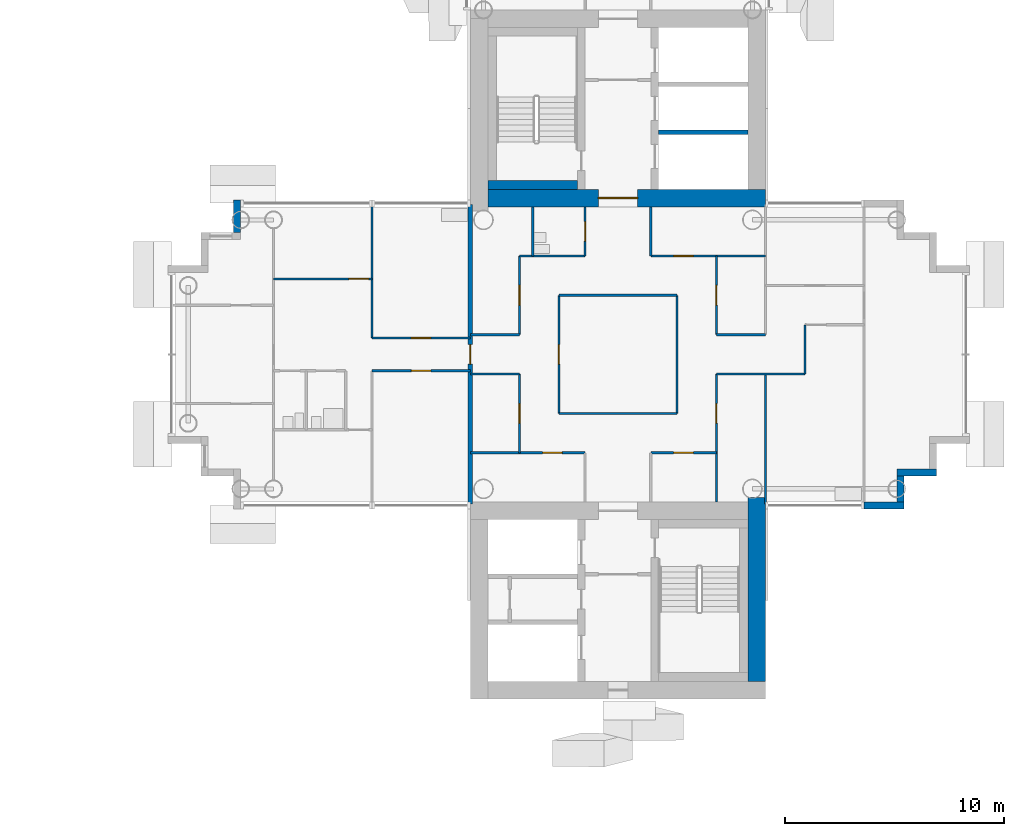
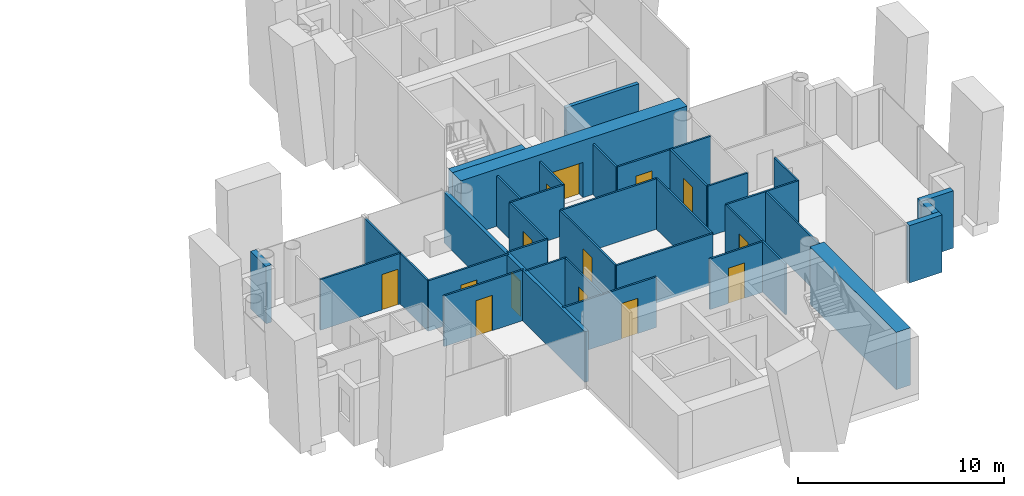
# One storey, part 10 of 19: 34 walls, 14 doors, 14 openings.
"""IFC4 building model written with IfcOpenShell, lengths in metres."""

from ifc_helpers import new_model, si_unit, direction, frame, frame_2d, origin, place, context, subcontext, project, spatial, rectangle, extrude, material, layer, layer_set, type_object, element, fill, save


model = new_model("IFC4")

# Units and contexts
model_context = context("Model", 3, precision=1e-05, world=origin(), true_north=direction((0.0, 1.0)))
body_context = subcontext(model_context, "Body", "Model", "MODEL_VIEW")
ifc_project = project(units=[si_unit("LENGTHUNIT", "METRE"), si_unit("AREAUNIT", "SQUARE_METRE"), si_unit("VOLUMEUNIT", "CUBIC_METRE"), si_unit("PLANEANGLEUNIT", "RADIAN"), si_unit("MASSUNIT", "GRAM", prefix="KILO")], contexts=[model_context])

# Site, building, storey
site_placement = place(None, origin())
site = spatial("IfcSite", under=ifc_project, at=site_placement, CompositionType="ELEMENT")
building_placement = place(site_placement, origin())
building = spatial("IfcBuilding", under=site, at=building_placement, Name="Ipe Terrace Towers", CompositionType="ELEMENT")
storey_placement = place(building_placement, frame((0.0, 0.0, 157.5)))
storey = spatial("IfcBuildingStorey", under=building, at=storey_placement, Name="L43", CompositionType="ELEMENT", Elevation=157.5)

# Walls
ifc_material_1 = material(Name="Concrete C40/50 with buff precast cladding", Category="concrete")
ifc_layer_1 = layer(ifc_material_1, 0.320068359375)
ifc_layer_set_1 = layer_set([ifc_layer_1], Name="BUFF CLADDING WALL 320")
wall_type_1 = type_object("IfcWallType", Name="BUFF CLADDING WALL 320", PredefinedType="STANDARD", material=ifc_layer_set_1)
wall_1_placement = place(storey_placement, frame((47.25, -6.909912109375, -0.300048828125), z_axis=(0.0, 0.0, 1.0), x_axis=(1.0, 0.0, 0.0)))
element("IfcWall", 1, at=wall_1_placement, inside=storey, type_object=wall_type_1, Name="T2-W-L43-03a wall", PredefinedType="STANDARD", context=body_context, shape_type="SweptSolid", body=[
    extrude(rectangle(XDim=1.820068359375, YDim=0.320068359375, at=frame_2d((0.91015625, 0.0))), origin(), (0.0, 0.0, 1.0), 3.400146484375),
])
wall_2_placement = place(storey_placement, frame((48.909912109375, -6.75, -0.300048828125), z_axis=(0.0, 0.0, 1.0), x_axis=(0.0, 1.0, 0.0)))
element("IfcWall", 2, at=wall_2_placement, inside=storey, type_object=wall_type_1, Name="T2-W-L43-04a wall", PredefinedType="STANDARD", context=body_context, shape_type="SweptSolid", body=[
    extrude(rectangle(XDim=1.179931640625, YDim=0.320068359375, at=frame_2d((0.58984375, 0.0))), origin(), (0.0, 0.0, 1.0), 3.400146484375),
])
wall_3_placement = place(storey_placement, frame((48.75, -5.409912109375, -0.300048828125), z_axis=(0.0, 0.0, 1.0), x_axis=(1.0, 0.0, 0.0)))
element("IfcWall", 3, at=wall_3_placement, inside=storey, type_object=wall_type_1, Name="T2-W-L43-05a wall", PredefinedType="STANDARD", context=body_context, shape_type="SweptSolid", body=[
    extrude(rectangle(XDim=1.820068359375, YDim=0.320068359375, at=frame_2d((0.91015625, 0.0))), origin(), (0.0, 0.0, 1.0), 3.400146484375),
])
wall_4_placement = place(storey_placement, frame((18.590087890625, 7.070068359375, -0.300048828125), z_axis=(0.0, 0.0, 1.0), x_axis=(0.0, -1.0, 0.0)))
element("IfcWall", 4, at=wall_4_placement, inside=storey, type_object=wall_type_1, Name="T2-W-L43-30a wall", PredefinedType="STANDARD", context=body_context, shape_type="SweptSolid", body=[
    extrude(rectangle(XDim=1.5, YDim=0.320068359375, at=frame_2d((0.75, 0.0))), origin(), (0.0, 0.0, 1.0), 3.400146484375),
])

# Wall, opening, door
ifc_material_2 = material(Name="Gypsum board partition", Category="plasterboard")
ifc_layer_2 = layer(ifc_material_2, 0.10009765625)
ifc_layer_set_2 = layer_set([ifc_layer_2], Name="Gypsum board partition 100 mm")
wall_type_2 = type_object("IfcWallType", Name="Gypsum board partition 100 mm", PredefinedType="PARTITIONING", material=ifc_layer_set_2)
wall_5_placement = place(storey_placement, frame((40.5, -4.5, 0.0), z_axis=(0.0, 0.0, 1.0), x_axis=(-1.0, 0.0, 0.0)))
wall_5 = element("IfcWall", 5, at=wall_5_placement, inside=storey, type_object=wall_type_2, Name="Gypsum board partition T2 L43 W01", PredefinedType="PARTITIONING", context=body_context, shape_type="SweptSolid", body=[
    extrude(rectangle(XDim=3.0, YDim=0.10009765625, at=frame_2d((1.5, 0.0))), origin(), (0.0, 0.0, 1.0), 3.0),
])
opening_1_placement = place(wall_5_placement, frame((1.050048828125, 0.0, 0.0)))
opening_1 = element("IfcOpeningElement", 6, at=opening_1_placement, cuts=wall_5, Name="Opening T2-Z3C-07", PredefinedType="OPENING", context=body_context, shape_type="SweptSolid", body=[
    extrude(rectangle(XDim=0.89990234375, YDim=2.10009765625, at=frame_2d((0.449951171875, 1.050048828125))), frame((0.0, 0.06005859375, 0.0), z_axis=(0.0, -1.0, 0.0), x_axis=(1.0, 0.0, 0.0)), (0.0, 0.0, 1.0), 0.1201171875),
])
ifc_material_3 = material(Name="Timber door leaf", Category="wood")
door_type_1 = type_object("IfcDoorType", Name="Lounge door 900 x 2100", OperationType="NOTDEFINED", PredefinedType="DOOR", material=ifc_material_3)
door_1_placement = place(opening_1_placement, origin())
door_1 = element("IfcDoor", 7, at=door_1_placement, inside=storey, type_object=door_type_1, Name="Lounge door T2-Z3C-07", OperationType="SINGLE_SWING_LEFT", OverallHeight=2.10009765625, OverallWidth=0.89990234375, PredefinedType="DOOR", context=body_context, shape_type="SweptSolid", body=[
    extrude(rectangle(XDim=0.89990234375, YDim=2.10009765625, at=frame_2d((0.449951171875, 1.050048828125))), frame((0.0, 0.02490234375, 0.0), z_axis=(0.0, -1.0, 0.0), x_axis=(1.0, 0.0, 0.0)), (0.0, 0.0, 1.0), 0.050048828125),
])
fill(opening_1, door_1)

wall_6_placement = place(storey_placement, frame((34.5, -4.5, 0.0), z_axis=(0.0, 0.0, 1.0), x_axis=(-1.0, 0.0, 0.0)))
wall_6 = element("IfcWall", 8, at=wall_6_placement, inside=storey, type_object=wall_type_2, Name="Gypsum board partition T2 L43 W02", PredefinedType="PARTITIONING", context=body_context, shape_type="SweptSolid", body=[
    extrude(rectangle(XDim=5.25, YDim=0.10009765625, at=frame_2d((2.625, 0.0))), origin(), (0.0, 0.0, 1.0), 3.0),
])
opening_2_placement = place(wall_6_placement, frame((1.050048828125, 0.0, 0.0)))
opening_2 = element("IfcOpeningElement", 9, at=opening_2_placement, cuts=wall_6, Name="Opening T2-Z3C-05", PredefinedType="OPENING", context=body_context, shape_type="SweptSolid", body=[
    extrude(rectangle(XDim=0.89990234375, YDim=2.10009765625, at=frame_2d((0.449951171875, 1.050048828125))), frame((0.0, 0.06005859375, 0.0), z_axis=(0.0, -1.0, 0.0), x_axis=(1.0, 0.0, 0.0)), (0.0, 0.0, 1.0), 0.1201171875),
])
door_2_placement = place(opening_2_placement, origin())
door_2 = element("IfcDoor", 10, at=door_2_placement, inside=storey, type_object=door_type_1, Name="Lounge door T2-Z3C-05", OperationType="SINGLE_SWING_RIGHT", OverallHeight=2.10009765625, OverallWidth=0.89990234375, PredefinedType="DOOR", context=body_context, shape_type="SweptSolid", body=[
    extrude(rectangle(XDim=0.89990234375, YDim=2.10009765625, at=frame_2d((0.449951171875, 1.050048828125))), frame((0.0, 0.02490234375, 0.0), z_axis=(0.0, -1.0, 0.0), x_axis=(1.0, 0.0, 0.0)), (0.0, 0.0, 1.0), 0.050048828125),
])
fill(opening_2, door_2)

# Walls
wall_7_placement = place(storey_placement, frame((38.699951171875, -2.699951171875, 0.0), z_axis=(0.0, 0.0, 1.0), x_axis=(-1.0, 0.0, 0.0)))
element("IfcWall", 11, at=wall_7_placement, inside=storey, type_object=wall_type_2, Name="Gypsum board partition T2 L43 W04", PredefinedType="PARTITIONING", context=body_context, shape_type="SweptSolid", body=[
    extrude(rectangle(XDim=5.39990234375, YDim=0.10009765625, at=frame_2d((2.699951171875, 0.0))), origin(), (0.0, 0.0, 1.0), 3.0),
])
wall_8_placement = place(storey_placement, frame((44.550048828125, -0.89990234375, 0.0), z_axis=(0.0, 0.0, 1.0), x_axis=(-1.0, 0.0, 0.0)))
element("IfcWall", 12, at=wall_8_placement, inside=storey, type_object=wall_type_2, Name="Gypsum board partition T2 L43 W06", PredefinedType="PARTITIONING", context=body_context, shape_type="SweptSolid", body=[
    extrude(rectangle(XDim=4.050048828125, YDim=0.10009765625, at=frame_2d((2.02490234375, 0.0))), origin(), (0.0, 0.0, 1.0), 3.0),
])
wall_9_placement = place(storey_placement, frame((31.5, -0.89990234375, 0.0), z_axis=(0.0, 0.0, 1.0), x_axis=(-1.0, 0.0, 0.0)))
element("IfcWall", 13, at=wall_9_placement, inside=storey, type_object=wall_type_2, Name="Gypsum board partition T2 L43 W07", PredefinedType="PARTITIONING", context=body_context, shape_type="SweptSolid", body=[
    extrude(rectangle(XDim=2.25, YDim=0.10009765625, at=frame_2d((1.125, 0.0))), origin(), (0.0, 0.0, 1.0), 3.0),
])

# Wall, opening, door
wall_10_placement = place(storey_placement, frame((29.25, -0.75, 0.0), z_axis=(0.0, 0.0, 1.0), x_axis=(-1.0, 0.0, 0.0)))
wall_10 = element("IfcWall", 14, at=wall_10_placement, inside=storey, type_object=wall_type_2, Name="Gypsum board partition T2 L43 W08", PredefinedType="PARTITIONING", context=body_context, shape_type="SweptSolid", body=[
    extrude(rectangle(XDim=4.5, YDim=0.10009765625, at=frame_2d((2.25, 0.0))), origin(), (0.0, 0.0, 1.0), 3.0),
])
opening_3_placement = place(wall_10_placement, frame((1.800048828125, 0.0, 0.0)))
opening_3 = element("IfcOpeningElement", 15, at=opening_3_placement, cuts=wall_10, Name="Opening T2-Z3C-10", PredefinedType="OPENING", context=body_context, shape_type="SweptSolid", body=[
    extrude(rectangle(XDim=0.89990234375, YDim=2.10009765625, at=frame_2d((0.449951171875, 1.050048828125))), frame((0.0, 0.06005859375, 0.0), z_axis=(0.0, -1.0, 0.0), x_axis=(1.0, 0.0, 0.0)), (0.0, 0.0, 1.0), 0.1201171875),
])
door_3_placement = place(opening_3_placement, origin())
door_3 = element("IfcDoor", 16, at=door_3_placement, inside=storey, type_object=door_type_1, Name="Lounge door T2-Z3C-10", OperationType="SINGLE_SWING_LEFT", OverallHeight=2.10009765625, OverallWidth=0.89990234375, PredefinedType="DOOR", context=body_context, shape_type="SweptSolid", body=[
    extrude(rectangle(XDim=0.89990234375, YDim=2.10009765625, at=frame_2d((0.449951171875, 1.050048828125))), frame((0.0, 0.02490234375, 0.0), z_axis=(0.0, -1.0, 0.0), x_axis=(1.0, 0.0, 0.0)), (0.0, 0.0, 1.0), 0.050048828125),
])
fill(opening_3, door_3)

wall_11_placement = place(storey_placement, frame((29.25, 0.75, 0.0), z_axis=(0.0, 0.0, 1.0), x_axis=(-1.0, 0.0, 0.0)))
wall_11 = element("IfcWall", 17, at=wall_11_placement, inside=storey, type_object=wall_type_2, Name="Gypsum board partition T2 L43 W10", PredefinedType="PARTITIONING", context=body_context, shape_type="SweptSolid", body=[
    extrude(rectangle(XDim=4.5, YDim=0.10009765625, at=frame_2d((2.25, 0.0))), origin(), (0.0, 0.0, 1.0), 3.0),
])
opening_4_placement = place(wall_11_placement, frame((1.800048828125, 0.0, 0.0)))
opening_4 = element("IfcOpeningElement", 18, at=opening_4_placement, cuts=wall_11, Name="Opening T2-Z3C-11", PredefinedType="OPENING", context=body_context, shape_type="SweptSolid", body=[
    extrude(rectangle(XDim=0.89990234375, YDim=2.10009765625, at=frame_2d((0.449951171875, 1.050048828125))), frame((0.0, 0.06005859375, 0.0), z_axis=(0.0, -1.0, 0.0), x_axis=(1.0, 0.0, 0.0)), (0.0, 0.0, 1.0), 0.1201171875),
])
door_4_placement = place(opening_4_placement, origin())
door_4 = element("IfcDoor", 19, at=door_4_placement, inside=storey, type_object=door_type_1, Name="Lounge door T2-Z3C-11", OperationType="SINGLE_SWING_RIGHT", OverallHeight=2.10009765625, OverallWidth=0.89990234375, PredefinedType="DOOR", context=body_context, shape_type="SweptSolid", body=[
    extrude(rectangle(XDim=0.89990234375, YDim=2.10009765625, at=frame_2d((0.449951171875, 1.050048828125))), frame((0.0, 0.02490234375, 0.0), z_axis=(0.0, -1.0, 0.0), x_axis=(1.0, 0.0, 0.0)), (0.0, 0.0, 1.0), 0.050048828125),
])
fill(opening_4, door_4)

# Walls
for number, where, z_axis, x_axis, name in (
    (20, (42.75, 0.89990234375, 0.0), (0.0, 0.0, 1.0), (-1.0, 0.0, 0.0), "Gypsum board partition T2 L43 W11"),
    (21, (31.5, 0.89990234375, 0.0), (0.0, 0.0, 1.0), (-1.0, 0.0, 0.0), "Gypsum board partition T2 L43 W12"),
):
    element("IfcWall", number, at=place(storey_placement, frame(where, z_axis=z_axis, x_axis=x_axis)), inside=storey, type_object=wall_type_2, Name=name, PredefinedType="PARTITIONING", context=body_context, shape_type="SweptSolid", body=[
        extrude(rectangle(XDim=2.25, YDim=0.10009765625, at=frame_2d((1.125, 0.0))), origin(), (0.0, 0.0, 1.0), 3.0),
    ])
wall_12_placement = place(storey_placement, frame((38.699951171875, 2.699951171875, 0.0), z_axis=(0.0, 0.0, 1.0), x_axis=(-1.0, 0.0, 0.0)))
element("IfcWall", 22, at=wall_12_placement, inside=storey, type_object=wall_type_2, Name="Gypsum board partition T2 L43 W15", PredefinedType="PARTITIONING", context=body_context, shape_type="SweptSolid", body=[
    extrude(rectangle(XDim=5.39990234375, YDim=0.10009765625, at=frame_2d((2.699951171875, 0.0))), origin(), (0.0, 0.0, 1.0), 3.0),
])

# Wall, opening, door
wall_13_placement = place(storey_placement, frame((24.75, 3.449951171875, 0.0), z_axis=(0.0, 0.0, 1.0), x_axis=(-1.0, 0.0, 0.0)))
wall_13 = element("IfcWall", 23, at=wall_13_placement, inside=storey, type_object=wall_type_2, Name="Gypsum board partition T2 L43 W17", PredefinedType="PARTITIONING", context=body_context, shape_type="SweptSolid", body=[
    extrude(rectangle(XDim=4.5, YDim=0.10009765625, at=frame_2d((2.25, 0.0))), origin(), (0.0, 0.0, 1.0), 3.0),
])
opening_5_placement = place(wall_13_placement, frame((0.14990234375, 0.0, 0.0)))
opening_5 = element("IfcOpeningElement", 24, at=opening_5_placement, cuts=wall_13, Name="Opening T2-Z3C-16", PredefinedType="OPENING", context=body_context, shape_type="SweptSolid", body=[
    extrude(rectangle(XDim=0.89990234375, YDim=2.10009765625, at=frame_2d((0.449951171875, 1.050048828125))), frame((0.0, 0.06005859375, 0.0), z_axis=(0.0, -1.0, 0.0), x_axis=(1.0, 0.0, 0.0)), (0.0, 0.0, 1.0), 0.1201171875),
])
ifc_material_4 = material(Name="Timber door leaf", Category="wood")
door_type_2 = type_object("IfcDoorType", Name="Bedroom door 900 x 2100", OperationType="NOTDEFINED", PredefinedType="DOOR", material=ifc_material_4)
door_5_placement = place(opening_5_placement, origin())
door_5 = element("IfcDoor", 25, at=door_5_placement, inside=storey, type_object=door_type_2, Name="Bedroom door T2-Z3C-16", OperationType="SINGLE_SWING_LEFT", OverallHeight=2.10009765625, OverallWidth=0.89990234375, PredefinedType="DOOR", context=body_context, shape_type="SweptSolid", body=[
    extrude(rectangle(XDim=0.89990234375, YDim=2.10009765625, at=frame_2d((0.449951171875, 1.050048828125))), frame((0.0, 0.02490234375, 0.0), z_axis=(0.0, -1.0, 0.0), x_axis=(1.0, 0.0, 0.0)), (0.0, 0.0, 1.0), 0.050048828125),
])
fill(opening_5, door_5)

wall_14_placement = place(storey_placement, frame((42.75, 4.5, 0.0), z_axis=(0.0, 0.0, 1.0), x_axis=(-1.0, 0.0, 0.0)))
wall_14 = element("IfcWall", 26, at=wall_14_placement, inside=storey, type_object=wall_type_2, Name="Gypsum board partition T2 L43 W18", PredefinedType="PARTITIONING", context=body_context, shape_type="SweptSolid", body=[
    extrude(rectangle(XDim=5.25, YDim=0.10009765625, at=frame_2d((2.625, 0.0))), origin(), (0.0, 0.0, 1.0), 3.0),
])
opening_6_placement = place(wall_14_placement, frame((3.300048828125, 0.0, 0.0)))
opening_6 = element("IfcOpeningElement", 27, at=opening_6_placement, cuts=wall_14, Name="Opening T2-Z3C-09", PredefinedType="OPENING", context=body_context, shape_type="SweptSolid", body=[
    extrude(rectangle(XDim=0.89990234375, YDim=2.10009765625, at=frame_2d((0.449951171875, 1.050048828125))), frame((0.0, 0.06005859375, 0.0), z_axis=(0.0, -1.0, 0.0), x_axis=(1.0, 0.0, 0.0)), (0.0, 0.0, 1.0), 0.1201171875),
])
door_6_placement = place(opening_6_placement, origin())
door_6 = element("IfcDoor", 28, at=door_6_placement, inside=storey, type_object=door_type_1, Name="Lounge door T2-Z3C-09", OperationType="SINGLE_SWING_RIGHT", OverallHeight=2.10009765625, OverallWidth=0.89990234375, PredefinedType="DOOR", context=body_context, shape_type="SweptSolid", body=[
    extrude(rectangle(XDim=0.89990234375, YDim=2.10009765625, at=frame_2d((0.449951171875, 1.050048828125))), frame((0.0, 0.02490234375, 0.0), z_axis=(0.0, -1.0, 0.0), x_axis=(1.0, 0.0, 0.0)), (0.0, 0.0, 1.0), 0.050048828125),
])
fill(opening_6, door_6)

# Walls
wall_15_placement = place(storey_placement, frame((34.5, 4.5, 0.0), z_axis=(0.0, 0.0, 1.0), x_axis=(-1.0, 0.0, 0.0)))
element("IfcWall", 29, at=wall_15_placement, inside=storey, type_object=wall_type_2, Name="Gypsum board partition T2 L43 W19", PredefinedType="PARTITIONING", context=body_context, shape_type="SweptSolid", body=[
    extrude(rectangle(XDim=3.0, YDim=0.10009765625, at=frame_2d((1.5, 0.0))), origin(), (0.0, 0.0, 1.0), 3.0),
])
wall_16_placement = place(storey_placement, frame((44.550048828125, -0.89990234375, 0.0), z_axis=(0.0, 0.0, 1.0), x_axis=(0.0, 1.0, 0.0)))
element("IfcWall", 30, at=wall_16_placement, inside=storey, type_object=wall_type_2, Name="Gypsum board partition T2 L43 W23", PredefinedType="PARTITIONING", context=body_context, shape_type="SweptSolid", body=[
    extrude(rectangle(XDim=2.25, YDim=0.10009765625, at=frame_2d((1.125, 0.0))), origin(), (0.0, 0.0, 1.0), 3.0),
])
wall_17_placement = place(storey_placement, frame((42.75, -6.85009765625, 0.0), z_axis=(0.0, 0.0, 1.0), x_axis=(0.0, 1.0, 0.0)))
element("IfcWall", 31, at=wall_17_placement, inside=storey, type_object=wall_type_2, Name="Gypsum board partition T2 L43 W24", PredefinedType="PARTITIONING", context=body_context, shape_type="SweptSolid", body=[
    extrude(rectangle(XDim=5.9501953125, YDim=0.10009765625, at=frame_2d((2.97509765625, 0.0))), origin(), (0.0, 0.0, 1.0), 3.0),
])

# Wall, opening, door
wall_18_placement = place(storey_placement, frame((40.5, -6.75, 0.0), z_axis=(0.0, 0.0, 1.0), x_axis=(0.0, 1.0, 0.0)))
wall_18 = element("IfcWall", 32, at=wall_18_placement, inside=storey, type_object=wall_type_2, Name="Gypsum board partition T2 L43 W26", PredefinedType="PARTITIONING", context=body_context, shape_type="SweptSolid", body=[
    extrude(rectangle(XDim=5.85009765625, YDim=0.10009765625, at=frame_2d((2.925048828125, 0.0))), origin(), (0.0, 0.0, 1.0), 3.0),
])
opening_7_placement = place(wall_18_placement, frame((3.60009765625, 0.0, 0.0)))
opening_7 = element("IfcOpeningElement", 33, at=opening_7_placement, cuts=wall_18, Name="Opening T2-Z3C-06", PredefinedType="OPENING", context=body_context, shape_type="SweptSolid", body=[
    extrude(rectangle(XDim=0.89990234375, YDim=2.10009765625, at=frame_2d((0.449951171875, 1.050048828125))), frame((0.0, 0.06005859375, 0.0), z_axis=(0.0, -1.0, 0.0), x_axis=(1.0, 0.0, 0.0)), (0.0, 0.0, 1.0), 0.1201171875),
])
door_7_placement = place(opening_7_placement, origin())
door_7 = element("IfcDoor", 34, at=door_7_placement, inside=storey, type_object=door_type_1, Name="Lounge door T2-Z3C-06", OperationType="SINGLE_SWING_RIGHT", OverallHeight=2.10009765625, OverallWidth=0.89990234375, PredefinedType="DOOR", context=body_context, shape_type="SweptSolid", body=[
    extrude(rectangle(XDim=0.89990234375, YDim=2.10009765625, at=frame_2d((0.449951171875, 1.050048828125))), frame((0.0, 0.02490234375, 0.0), z_axis=(0.0, -1.0, 0.0), x_axis=(1.0, 0.0, 0.0)), (0.0, 0.0, 1.0), 0.050048828125),
])
fill(opening_7, door_7)

wall_19_placement = place(storey_placement, frame((40.5, 0.89990234375, 0.0), z_axis=(0.0, 0.0, 1.0), x_axis=(0.0, 1.0, 0.0)))
wall_19 = element("IfcWall", 35, at=wall_19_placement, inside=storey, type_object=wall_type_2, Name="Gypsum board partition T2 L43 W27", PredefinedType="PARTITIONING", context=body_context, shape_type="SweptSolid", body=[
    extrude(rectangle(XDim=3.60009765625, YDim=0.10009765625, at=frame_2d((1.800048828125, 0.0))), origin(), (0.0, 0.0, 1.0), 3.0),
])
opening_8_placement = place(wall_19_placement, frame((1.35009765625, 0.0, 0.0)))
opening_8 = element("IfcOpeningElement", 36, at=opening_8_placement, cuts=wall_19, Name="Opening T2-Z3C-08", PredefinedType="OPENING", context=body_context, shape_type="SweptSolid", body=[
    extrude(rectangle(XDim=0.89990234375, YDim=2.10009765625, at=frame_2d((0.449951171875, 1.050048828125))), frame((0.0, 0.06005859375, 0.0), z_axis=(0.0, -1.0, 0.0), x_axis=(1.0, 0.0, 0.0)), (0.0, 0.0, 1.0), 0.1201171875),
])
door_8_placement = place(opening_8_placement, origin())
door_8 = element("IfcDoor", 37, at=door_8_placement, inside=storey, type_object=door_type_1, Name="Lounge door T2-Z3C-08", OperationType="SINGLE_SWING_RIGHT", OverallHeight=2.10009765625, OverallWidth=0.89990234375, PredefinedType="DOOR", context=body_context, shape_type="SweptSolid", body=[
    extrude(rectangle(XDim=0.89990234375, YDim=2.10009765625, at=frame_2d((0.449951171875, 1.050048828125))), frame((0.0, 0.02490234375, 0.0), z_axis=(0.0, -1.0, 0.0), x_axis=(1.0, 0.0, 0.0)), (0.0, 0.0, 1.0), 0.050048828125),
])
fill(opening_8, door_8)

# Walls
wall_20_placement = place(storey_placement, frame((38.699951171875, -2.699951171875, 0.0), z_axis=(0.0, 0.0, 1.0), x_axis=(0.0, 1.0, 0.0)))
element("IfcWall", 38, at=wall_20_placement, inside=storey, type_object=wall_type_2, Name="Gypsum board partition T2 L43 W28", PredefinedType="PARTITIONING", context=body_context, shape_type="SweptSolid", body=[
    extrude(rectangle(XDim=5.39990234375, YDim=0.10009765625, at=frame_2d((2.699951171875, 0.0))), origin(), (0.0, 0.0, 1.0), 3.0),
])
wall_21_placement = place(storey_placement, frame((37.5, 4.5, 0.0), z_axis=(0.0, 0.0, 1.0), x_axis=(0.0, 1.0, 0.0)))
element("IfcWall", 39, at=wall_21_placement, inside=storey, type_object=wall_type_2, Name="Gypsum board partition T2 L43 W31", PredefinedType="PARTITIONING", context=body_context, shape_type="SweptSolid", body=[
    extrude(rectangle(XDim=2.25, YDim=0.10009765625, at=frame_2d((1.125, 0.0))), origin(), (0.0, 0.0, 1.0), 3.0),
])

# Wall, opening, door
wall_22_placement = place(storey_placement, frame((34.5, 4.5, 0.0), z_axis=(0.0, 0.0, 1.0), x_axis=(0.0, 1.0, 0.0)))
wall_22 = element("IfcWall", 40, at=wall_22_placement, inside=storey, type_object=wall_type_2, Name="Gypsum board partition T2 L43 W35", PredefinedType="PARTITIONING", context=body_context, shape_type="SweptSolid", body=[
    extrude(rectangle(XDim=2.25, YDim=0.10009765625, at=frame_2d((1.125, 0.0))), origin(), (0.0, 0.0, 1.0), 3.0),
])
opening_9_placement = place(wall_22_placement, frame((0.675048828125, 0.0, 0.0)))
opening_9 = element("IfcOpeningElement", 41, at=opening_9_placement, cuts=wall_22, Name="Opening T2-Z3C-02", PredefinedType="OPENING", context=body_context, shape_type="SweptSolid", body=[
    extrude(rectangle(XDim=0.89990234375, YDim=2.10009765625, at=frame_2d((0.449951171875, 1.050048828125))), frame((0.0, 0.06005859375, 0.0), z_axis=(0.0, -1.0, 0.0), x_axis=(1.0, 0.0, 0.0)), (0.0, 0.0, 1.0), 0.1201171875),
])
ifc_material_5 = material(Name="Timber door leaf", Category="wood")
door_type_3 = type_object("IfcDoorType", Name="Bathroom door 900 x 2100", OperationType="NOTDEFINED", PredefinedType="DOOR", material=ifc_material_5)
door_9_placement = place(opening_9_placement, origin())
door_9 = element("IfcDoor", 42, at=door_9_placement, inside=storey, type_object=door_type_3, Name="Bathroom door T2-Z3C-02", OperationType="SINGLE_SWING_LEFT", OverallHeight=2.10009765625, OverallWidth=0.89990234375, PredefinedType="DOOR", context=body_context, shape_type="SweptSolid", body=[
    extrude(rectangle(XDim=0.89990234375, YDim=2.10009765625, at=frame_2d((0.449951171875, 1.050048828125))), frame((0.0, 0.02490234375, 0.0), z_axis=(0.0, -1.0, 0.0), x_axis=(1.0, 0.0, 0.0)), (0.0, 0.0, 1.0), 0.050048828125),
])
fill(opening_9, door_9)

wall_23_placement = place(storey_placement, frame((33.300048828125, -2.699951171875, 0.0), z_axis=(0.0, 0.0, 1.0), x_axis=(0.0, 1.0, 0.0)))
wall_23 = element("IfcWall", 43, at=wall_23_placement, inside=storey, type_object=wall_type_2, Name="Gypsum board partition T2 L43 W38", PredefinedType="PARTITIONING", context=body_context, shape_type="SweptSolid", body=[
    extrude(rectangle(XDim=5.39990234375, YDim=0.10009765625, at=frame_2d((2.699951171875, 0.0))), origin(), (0.0, 0.0, 1.0), 3.0),
])
opening_10_placement = place(wall_23_placement, frame((2.25, 0.0, 0.0)))
opening_10 = element("IfcOpeningElement", 44, at=opening_10_placement, cuts=wall_23, Name="Opening T2-Z3C-01", PredefinedType="OPENING", context=body_context, shape_type="SweptSolid", body=[
    extrude(rectangle(XDim=0.89990234375, YDim=2.10009765625, at=frame_2d((0.449951171875, 1.050048828125))), frame((0.0, 0.06005859375, 0.0), z_axis=(0.0, -1.0, 0.0), x_axis=(1.0, 0.0, 0.0)), (0.0, 0.0, 1.0), 0.1201171875),
])
door_10_placement = place(opening_10_placement, origin())
door_10 = element("IfcDoor", 45, at=door_10_placement, inside=storey, type_object=door_type_1, Name="Lounge door T2-Z3C-01", OperationType="SINGLE_SWING_RIGHT", OverallHeight=2.10009765625, OverallWidth=0.89990234375, PredefinedType="DOOR", context=body_context, shape_type="SweptSolid", body=[
    extrude(rectangle(XDim=0.89990234375, YDim=2.10009765625, at=frame_2d((0.449951171875, 1.050048828125))), frame((0.0, 0.02490234375, 0.0), z_axis=(0.0, -1.0, 0.0), x_axis=(1.0, 0.0, 0.0)), (0.0, 0.0, 1.0), 0.050048828125),
])
fill(opening_10, door_10)

# Wall
wall_24_placement = place(storey_placement, frame((32.10009765625, 4.5, 0.0), z_axis=(0.0, 0.0, 1.0), x_axis=(0.0, 1.0, 0.0)))
element("IfcWall", 46, at=wall_24_placement, inside=storey, type_object=wall_type_2, Name="Gypsum board partition T2 L43 W39", PredefinedType="PARTITIONING", context=body_context, shape_type="SweptSolid", body=[
    extrude(rectangle(XDim=2.25, YDim=0.10009765625, at=frame_2d((1.125, 0.0))), origin(), (0.0, 0.0, 1.0), 3.0),
])

# Wall, opening, door
wall_25_placement = place(storey_placement, frame((31.5, -4.5, 0.0), z_axis=(0.0, 0.0, 1.0), x_axis=(0.0, 1.0, 0.0)))
wall_25 = element("IfcWall", 47, at=wall_25_placement, inside=storey, type_object=wall_type_2, Name="Gypsum board partition T2 L43 W40", PredefinedType="PARTITIONING", context=body_context, shape_type="SweptSolid", body=[
    extrude(rectangle(XDim=3.60009765625, YDim=0.10009765625, at=frame_2d((1.800048828125, 0.0))), origin(), (0.0, 0.0, 1.0), 3.0),
])
opening_11_placement = place(wall_25_placement, frame((1.35009765625, 0.0, 0.0)))
opening_11 = element("IfcOpeningElement", 48, at=opening_11_placement, cuts=wall_25, Name="Opening T2-Z3C-04", PredefinedType="OPENING", context=body_context, shape_type="SweptSolid", body=[
    extrude(rectangle(XDim=0.89990234375, YDim=2.10009765625, at=frame_2d((0.449951171875, 1.050048828125))), frame((0.0, 0.06005859375, 0.0), z_axis=(0.0, -1.0, 0.0), x_axis=(1.0, 0.0, 0.0)), (0.0, 0.0, 1.0), 0.1201171875),
])
door_11_placement = place(opening_11_placement, origin())
door_11 = element("IfcDoor", 49, at=door_11_placement, inside=storey, type_object=door_type_1, Name="Lounge door T2-Z3C-04", OperationType="SINGLE_SWING_RIGHT", OverallHeight=2.10009765625, OverallWidth=0.89990234375, PredefinedType="DOOR", context=body_context, shape_type="SweptSolid", body=[
    extrude(rectangle(XDim=0.89990234375, YDim=2.10009765625, at=frame_2d((0.449951171875, 1.050048828125))), frame((0.0, 0.02490234375, 0.0), z_axis=(0.0, -1.0, 0.0), x_axis=(1.0, 0.0, 0.0)), (0.0, 0.0, 1.0), 0.050048828125),
])
fill(opening_11, door_11)

wall_26_placement = place(storey_placement, frame((31.5, 0.89990234375, 0.0), z_axis=(0.0, 0.0, 1.0), x_axis=(0.0, 1.0, 0.0)))
wall_26 = element("IfcWall", 50, at=wall_26_placement, inside=storey, type_object=wall_type_2, Name="Gypsum board partition T2 L43 W41", PredefinedType="PARTITIONING", context=body_context, shape_type="SweptSolid", body=[
    extrude(rectangle(XDim=3.60009765625, YDim=0.10009765625, at=frame_2d((1.800048828125, 0.0))), origin(), (0.0, 0.0, 1.0), 3.0),
])
opening_12_placement = place(wall_26_placement, frame((1.35009765625, 0.0, 0.0)))
opening_12 = element("IfcOpeningElement", 51, at=opening_12_placement, cuts=wall_26, Name="Opening T2-Z3C-03", PredefinedType="OPENING", context=body_context, shape_type="SweptSolid", body=[
    extrude(rectangle(XDim=0.89990234375, YDim=2.10009765625, at=frame_2d((0.449951171875, 1.050048828125))), frame((0.0, 0.06005859375, 0.0), z_axis=(0.0, -1.0, 0.0), x_axis=(1.0, 0.0, 0.0)), (0.0, 0.0, 1.0), 0.1201171875),
])
door_12_placement = place(opening_12_placement, origin())
door_12 = element("IfcDoor", 52, at=door_12_placement, inside=storey, type_object=door_type_1, Name="Lounge door T2-Z3C-03", OperationType="SINGLE_SWING_LEFT", OverallHeight=2.10009765625, OverallWidth=0.89990234375, PredefinedType="DOOR", context=body_context, shape_type="SweptSolid", body=[
    extrude(rectangle(XDim=0.89990234375, YDim=2.10009765625, at=frame_2d((0.449951171875, 1.050048828125))), frame((0.0, 0.02490234375, 0.0), z_axis=(0.0, -1.0, 0.0), x_axis=(1.0, 0.0, 0.0)), (0.0, 0.0, 1.0), 0.050048828125),
])
fill(opening_12, door_12)

# Walls
wall_27_placement = place(storey_placement, frame((24.75, 0.75, 0.0), z_axis=(0.0, 0.0, 1.0), x_axis=(0.0, 1.0, 0.0)))
element("IfcWall", 53, at=wall_27_placement, inside=storey, type_object=wall_type_2, Name="Gypsum board partition T2 L43 W44", PredefinedType="PARTITIONING", context=body_context, shape_type="SweptSolid", body=[
    extrude(rectangle(XDim=6.10009765625, YDim=0.10009765625, at=frame_2d((3.050048828125, 0.0))), origin(), (0.0, 0.0, 1.0), 3.0),
])
ifc_material_6 = material(Name="Gypsum board party wall", Category="plasterboard")
ifc_layer_3 = layer(ifc_material_6, 0.199951171875)
ifc_layer_set_3 = layer_set([ifc_layer_3], Name="Gypsum board party wall 200 mm")
wall_type_3 = type_object("IfcWallType", Name="Gypsum board party wall 200 mm", PredefinedType="SOLIDWALL", material=ifc_layer_set_3)
wall_28_placement = place(storey_placement, frame((41.949951171875, 10.14990234375, 0.0), z_axis=(0.0, 0.0, 1.0), x_axis=(-1.0, 0.0, 0.0)))
element("IfcWall", 54, at=wall_28_placement, inside=storey, type_object=wall_type_3, Name="Gypsum board party wall T2 L43 t2c1-shaft-div1", PredefinedType="SOLIDWALL", context=body_context, shape_type="SweptSolid", body=[
    extrude(rectangle(XDim=4.099853515625, YDim=0.199951171875, at=frame_2d((2.0498046875, 0.0))), origin(), (0.0, 0.0, 1.0), 3.0),
])

# Wall, opening, door
wall_29_placement = place(storey_placement, frame((29.25, -6.85009765625, 0.0), z_axis=(0.0, 0.0, 1.0), x_axis=(0.0, 1.0, 0.0)))
wall_29 = element("IfcWall", 55, at=wall_29_placement, inside=storey, type_object=wall_type_3, Name="Gypsum board party wall T2 L43 W42", PredefinedType="SOLIDWALL", context=body_context, shape_type="SweptSolid", body=[
    extrude(rectangle(XDim=13.7001953125, YDim=0.199951171875, at=frame_2d((6.85009765625, 0.0))), origin(), (0.0, 0.0, 1.0), 3.0),
])
opening_13_placement = place(wall_29_placement, frame((6.39990234375, 0.0, 0.0)))
opening_13 = element("IfcOpeningElement", 56, at=opening_13_placement, cuts=wall_29, Name="Opening T2-Z3C-12", PredefinedType="OPENING", context=body_context, shape_type="SweptSolid", body=[
    extrude(rectangle(XDim=0.89990234375, YDim=2.10009765625, at=frame_2d((0.449951171875, 1.050048828125))), frame((0.0, 0.10986328125, 0.0), z_axis=(0.0, -1.0, 0.0), x_axis=(1.0, 0.0, 0.0)), (0.0, 0.0, 1.0), 0.219970703125),
])
ifc_material_7 = material(Name="Fire-rated timber door leaf", Category="wood")
door_type_4 = type_object("IfcDoorType", Name="Flat entrance door 900 x 2100 FD30S", OperationType="NOTDEFINED", PredefinedType="DOOR", material=ifc_material_7)
door_13_placement = place(opening_13_placement, origin())
door_13 = element("IfcDoor", 57, at=door_13_placement, inside=storey, type_object=door_type_4, Name="Flat entrance door T2-Z3C-12", OperationType="SINGLE_SWING_LEFT", OverallHeight=2.10009765625, OverallWidth=0.89990234375, PredefinedType="DOOR", context=body_context, shape_type="SweptSolid", body=[
    extrude(rectangle(XDim=0.89990234375, YDim=2.10009765625, at=frame_2d((0.449951171875, 1.050048828125))), frame((0.0, 0.02490234375, 0.0), z_axis=(0.0, -1.0, 0.0), x_axis=(1.0, 0.0, 0.0)), (0.0, 0.0, 1.0), 0.050048828125),
])
fill(opening_13, door_13)

# Wall
ifc_material_8 = material(Name="Concrete C50/60", Category="concrete")
ifc_layer_4 = layer(ifc_material_8, 0.39990234375)
ifc_layer_set_4 = layer_set([ifc_layer_4], Name="RW400 CORE INFILL WALL 400 C50-60")
wall_type_4 = type_object("IfcWallType", Name="RW400 CORE INFILL WALL 400 C50-60", PredefinedType="SHEAR", material=ifc_layer_set_4)
wall_30_placement = place(storey_placement, frame((34.14990234375, 7.75, 0.0), z_axis=(0.0, 0.0, 1.0), x_axis=(-1.0, 0.0, 0.0)))
element("IfcWall", 58, at=wall_30_placement, inside=storey, type_object=wall_type_4, Name="Core infill wall T2-C1-near", PredefinedType="SHEAR", context=body_context, shape_type="SweptSolid", body=[
    extrude(rectangle(XDim=4.099853515625, YDim=0.39990234375, at=frame_2d((2.0498046875, 0.0))), origin(), (0.0, 0.0, 1.0), 3.39990234375),
])

# Wall, opening, door
ifc_material_9 = material(Name="Concrete C50/60", Category="concrete")
ifc_layer_5 = layer(ifc_material_9, 0.800048828125)
ifc_layer_set_5 = layer_set([ifc_layer_5], Name="RW800 CORE WALL 800 C50-60")
wall_type_5 = type_object("IfcWallType", Name="RW800 CORE WALL 800 C50-60", PredefinedType="SHEAR", material=ifc_layer_set_5)
wall_31_placement = place(storey_placement, frame((30.050048828125, 7.14990234375, 0.0), z_axis=(0.0, 0.0, 1.0), x_axis=(1.0, 0.0, 0.0)))
wall_31 = element("IfcWall", 59, at=wall_31_placement, inside=storey, type_object=wall_type_5, Name="Core wall T2-C1-Z3-W01", PredefinedType="SHEAR", context=body_context, shape_type="SweptSolid", body=[
    extrude(rectangle(XDim=12.699951171875, YDim=0.800048828125, at=frame_2d((6.35009765625, 0.0))), origin(), (0.0, 0.0, 1.0), 3.39990234375),
])
opening_14_placement = place(wall_31_placement, frame((5.050048828125, 0.0, 0.0)))
opening_14 = element("IfcOpeningElement", 60, at=opening_14_placement, cuts=wall_31, Name="Opening T2C1-ND", PredefinedType="OPENING", context=body_context, shape_type="SweptSolid", body=[
    extrude(rectangle(XDim=1.800048828125, YDim=2.10009765625, at=frame_2d((0.89990234375, 1.050048828125))), frame((0.0, 0.41015625, 0.0), z_axis=(0.0, -1.0, 0.0), x_axis=(1.0, 0.0, 0.0)), (0.0, 0.0, 1.0), 0.820068359375),
])
ifc_material_10 = material(Name="Fire-rated timber door leaf", Category="wood")
door_type_5 = type_object("IfcDoorType", Name="Fire door 1800 x 2100 FD30S", OperationType="NOTDEFINED", PredefinedType="DOOR", material=ifc_material_10)
door_14_placement = place(opening_14_placement, origin())
door_14 = element("IfcDoor", 61, at=door_14_placement, inside=storey, type_object=door_type_5, Name="Fire door T2C1-ND", OperationType="SINGLE_SWING_LEFT", OverallHeight=2.10009765625, OverallWidth=1.800048828125, PredefinedType="DOOR", context=body_context, shape_type="SweptSolid", body=[
    extrude(rectangle(XDim=1.800048828125, YDim=2.10009765625, at=frame_2d((0.89990234375, 1.050048828125))), frame((0.0, 0.02490234375, 0.0), z_axis=(0.0, -1.0, 0.0), x_axis=(1.0, 0.0, 0.0)), (0.0, 0.0, 1.0), 0.050048828125),
])
fill(opening_14, door_14)

# Wall
wall_32_placement = place(storey_placement, frame((42.35009765625, -14.949951171875, 0.0), z_axis=(0.0, 0.0, 1.0), x_axis=(0.0, 1.0, 0.0)))
element("IfcWall", 62, at=wall_32_placement, inside=storey, type_object=wall_type_5, Name="Core wall T2-C2-Z3-W02", PredefinedType="SHEAR", context=body_context, shape_type="SweptSolid", body=[
    extrude(rectangle(XDim=8.39794921875, YDim=0.800048828125, at=frame_2d((4.198974609375, 0.0))), origin(), (0.0, 0.0, 1.0), 3.39990234375),
])

save(model, "model.ifc")
